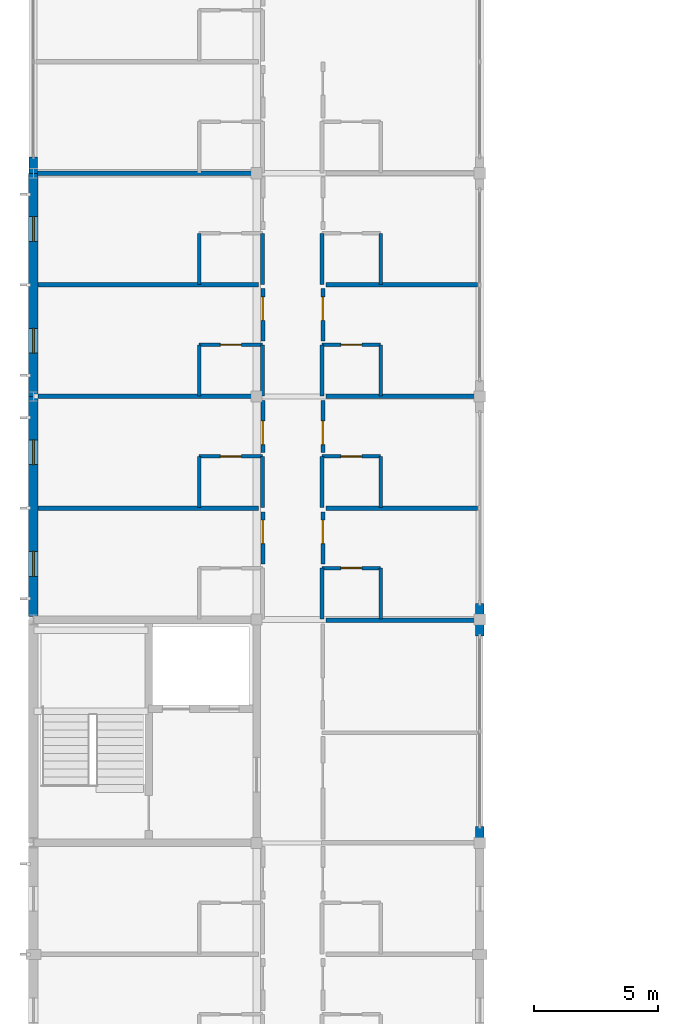
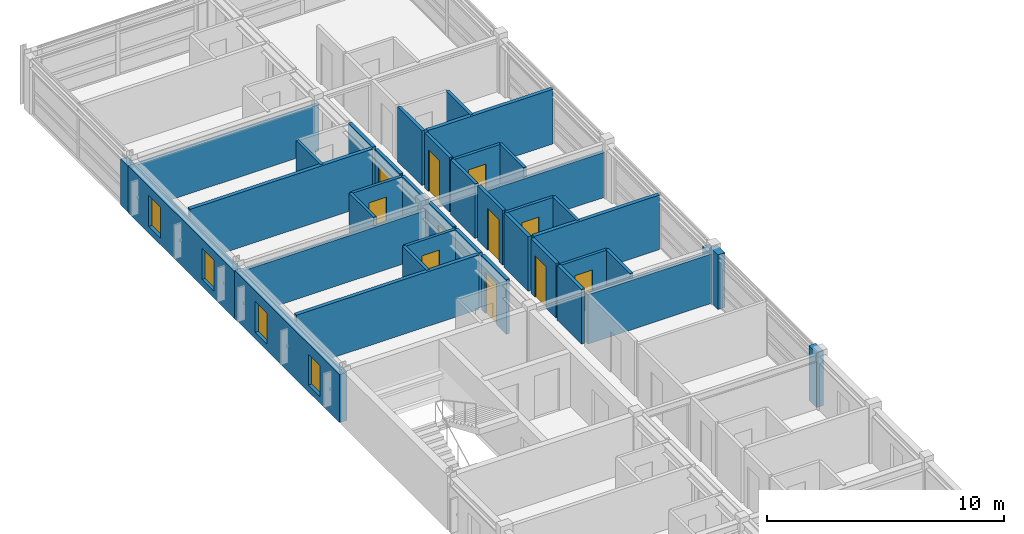
# One storey, part 15 of 24: 39 walls, 11 doors, 4 windows, 15 openings.
"""IFC4 building model written with IfcOpenShell, lengths in metres."""

import ifcopenshell
import ifcopenshell.guid

model = None  # the IFC model being written
_history = None  # IfcOwnerHistory: only IFC2X3 demands one
_inside = {}  # id of a spatial element -> (the spatial element, [elements in it])
_under = {}  # id of a project, library or spatial element -> (it, [spatial elements below it])
_declared = {}  # id of a project -> (the project, [libraries it declares])
_typed = {}  # id of a type object -> (the type object, [elements of that type])
_made_of = {}  # id of a material, layer set ... -> (it, [elements and type objects made of it])


def new_model(schema):
    """Start an empty IFC model of exactly this schema.

    Asked for "IFC4X3", IfcOpenShell would pick the latest addendum, in which some entities
    have other attributes; the version numbers below select the first issue.
    IFC2X3 requires an IfcOwnerHistory on every rooted entity: one is made here for all.
    """
    global model, _history
    if schema == "IFC4X3":
        model = ifcopenshell.file(schema_version=(4, 3, 0, 0))
    else:
        model = ifcopenshell.file(schema=schema)
    _inside.clear()
    _under.clear()
    _declared.clear()
    _typed.clear()
    _made_of.clear()
    _history = None
    if model.schema == "IFC2X3":
        org = make("IfcOrganization", Name="unknown")
        user = make(
            "IfcPersonAndOrganization",
            ThePerson=make("IfcPerson", FamilyName="unknown"),
            TheOrganization=org,
        )
        app = make(
            "IfcApplication",
            ApplicationDeveloper=org,
            Version="unknown",
            ApplicationFullName="unknown",
            ApplicationIdentifier="unknown",
        )
        _history = make(
            "IfcOwnerHistory",
            OwningUser=user,
            OwningApplication=app,
            ChangeAction="ADDED",
            CreationDate=0,
        )
    return model


def make(cls, **values):
    """One entity of the class cls with the attributes given. An attribute that is None is left unset."""
    return model.create_entity(
        cls, **{name: value for name, value in values.items() if value is not None}
    )


def rooted(cls, **values):
    """An entity with a GlobalId (a new one), such as an element, a storey or a relation."""
    return make(cls, GlobalId=ifcopenshell.guid.new(), OwnerHistory=_history, **values)


def si_unit(unit_type, name, prefix=None):
    """IfcSIUnit, for example si_unit("LENGTHUNIT", "METRE", prefix="MILLI")."""
    return make("IfcSIUnit", UnitType=unit_type, Prefix=prefix, Name=name)


def assignment(units):
    """IfcUnitAssignment: the units of a project."""
    return None if units is None else make("IfcUnitAssignment", Units=units)


def point(xyz):
    """IfcCartesianPoint."""
    return None if xyz is None else make("IfcCartesianPoint", Coordinates=xyz)


def direction(xyz):
    """IfcDirection."""
    return None if xyz is None else make("IfcDirection", DirectionRatios=xyz)


def frame(location, z_axis=None, x_axis=None):
    """IfcAxis2Placement3D, a coordinate frame: its origin and axes. An axis left out is left unset."""
    return make(
        "IfcAxis2Placement3D",
        Location=point(location),
        Axis=direction(z_axis),
        RefDirection=direction(x_axis),
    )


def frame_2d(location, x_axis=None):
    """IfcAxis2Placement2D, a coordinate frame in the plane: its origin and x axis."""
    return make(
        "IfcAxis2Placement2D", Location=point(location), RefDirection=direction(x_axis)
    )


def origin():
    """The frame at (0, 0, 0) with its axes left unset."""
    return frame((0.0, 0.0, 0.0))


def place(relative_to, where):
    """IfcLocalPlacement: puts the frame where relative to a parent placement (None: the world)."""
    return make(
        "IfcLocalPlacement", PlacementRelTo=relative_to, RelativePlacement=where
    )


def context(
    kind, dimensions, precision=None, world=None, true_north=None, identifier=None
):
    """IfcGeometricRepresentationContext, for example the 3D "Model" context."""
    return make(
        "IfcGeometricRepresentationContext",
        ContextIdentifier=identifier,
        ContextType=kind,
        CoordinateSpaceDimension=dimensions,
        Precision=precision,
        WorldCoordinateSystem=world,
        TrueNorth=true_north,
    )


def subcontext(parent, identifier, kind, view, scale=None):
    """IfcGeometricRepresentationSubContext, for example "Body" below "Model"."""
    return make(
        "IfcGeometricRepresentationSubContext",
        ContextIdentifier=identifier,
        ContextType=kind,
        ParentContext=parent,
        TargetScale=scale,
        TargetView=view,
    )


def project(units=None, contexts=None):
    """IfcProject with its units and contexts."""
    return rooted(
        "IfcProject",
        Name="project",
        RepresentationContexts=contexts,
        UnitsInContext=assignment(units),
    )


def spatial(cls, under=None, at=None, **own):
    """A site, building, storey or space (cls), placed at a placement, below another one or the project."""
    s = rooted(cls, ObjectPlacement=at, **own)
    if under is not None:
        _under.setdefault(under.id(), (under, []))[1].append(s)
    return s


def profile(cls, at=None, kind="AREA", **sizes):
    """A parametric profile (cls). Its sizes go by their IFC names, for example OverallWidth=200.0."""
    return make(cls, ProfileType=kind, Position=at, **sizes)


def rectangle(**sizes):
    """IfcRectangleProfileDef."""
    return profile("IfcRectangleProfileDef", **sizes)


def extrude(swept, where, along, depth):
    """IfcExtrudedAreaSolid: the profile swept, set in the frame where, extruded along a direction by depth."""
    return make(
        "IfcExtrudedAreaSolid",
        SweptArea=swept,
        Position=where,
        ExtrudedDirection=direction(along),
        Depth=depth,
    )


def shape(context_of_items, identifier, shape_type, items):
    """IfcShapeRepresentation: the items that make up one representation, for example the "Body"."""
    return make(
        "IfcShapeRepresentation",
        ContextOfItems=context_of_items,
        RepresentationIdentifier=identifier,
        RepresentationType=shape_type,
        Items=items,
    )


def material(Name=None, Category=None):
    """IfcMaterial."""
    return make("IfcMaterial", Name=Name, Category=Category)


def layer(
    of_material, thickness, ventilated=None, Name=None, Category=None, Priority=None
):
    """IfcMaterialLayer: one layer of a wall or slab, of a material (None: an air gap)."""
    return make(
        "IfcMaterialLayer",
        Material=of_material,
        LayerThickness=thickness,
        IsVentilated=ventilated,
        Name=Name,
        Category=Category,
        Priority=Priority,
    )


def layer_set(layers, Name=None):
    """IfcMaterialLayerSet."""
    return make("IfcMaterialLayerSet", MaterialLayers=layers, LayerSetName=Name)


def made_of(thing, what):
    """Note that an element or type object is made of a material, layer set ...; save() writes the relation."""
    if what is not None:
        _made_of.setdefault(what.id(), (what, []))[1].append(thing)
    return thing


def type_object(cls, material=None, **own):
    """A type object (cls), such as IfcWallType, which elements share."""
    return made_of(rooted(cls, **own), material)


def element(
    cls,
    number,
    at=None,
    inside=None,
    cuts=None,
    type_object=None,
    material=None,
    context=None,
    identifier="Body",
    shape_type=None,
    held_by="IfcProductDefinitionShape",
    body=None,
    shapes=None,
    **own,
):
    """One element of the class cls, such as IfcWall. Its Tag is "e" and its number.

    at: its placement. inside: the storey or other place that contains it. cuts: it is an
    opening in that element (IfcRelVoidsElement). A single representation is given by context,
    identifier, shape_type and body (its items); several are given by shapes. held_by: the class
    of the entity that holds the representations. save() writes the other relations.
    """
    e = rooted(cls, Tag="e%d" % number, ObjectPlacement=at, **own)
    if body is not None:
        shapes = [shape(context, identifier, shape_type, body)]
    if shapes is not None:
        e.Representation = make(held_by, Representations=shapes)
    if inside is not None:
        _inside.setdefault(inside.id(), (inside, []))[1].append(e)
    if cuts is not None:
        rooted(
            "IfcRelVoidsElement", RelatingBuildingElement=cuts, RelatedOpeningElement=e
        )
    if type_object is not None:
        _typed.setdefault(type_object.id(), (type_object, []))[1].append(e)
    return made_of(e, material)


def fill(opening, filler):
    """IfcRelFillsElement: the door or window that sits in an opening."""
    return rooted(
        "IfcRelFillsElement",
        RelatingOpeningElement=opening,
        RelatedBuildingElement=filler,
    )


def aggregate(whole, parts):
    """IfcRelAggregates: a whole, such as a stair, and the parts it consists of."""
    return rooted("IfcRelAggregates", RelatingObject=whole, RelatedObjects=parts)


def save(model, path):
    """Write the relations noted so far, then the file.

    IfcRelAggregates (storeys below a building ...), IfcRelContainedInSpatialStructure (elements
    in a storey), IfcRelDefinesByType, IfcRelAssociatesMaterial and IfcRelDeclares: one each for
    every whole, place, type object, material and project.
    """
    for whole, parts in _under.values():
        aggregate(whole, parts)
    for where, things in _inside.values():
        rooted(
            "IfcRelContainedInSpatialStructure",
            RelatedElements=things,
            RelatingStructure=where,
        )
    for kind, things in _typed.values():
        rooted("IfcRelDefinesByType", RelatedObjects=things, RelatingType=kind)
    for what, things in _made_of.values():
        rooted("IfcRelAssociatesMaterial", RelatedObjects=things, RelatingMaterial=what)
    for by, libraries in _declared.values():
        rooted("IfcRelDeclares", RelatingContext=by, RelatedDefinitions=libraries)
    model.write(path)


model = new_model("IFC4")

# Units and contexts
model_context = context("Model", 3, precision=1e-05, world=origin(), true_north=direction((0.0, 1.0)))
body_context = subcontext(model_context, "Body", "Model", "MODEL_VIEW")
ifc_project = project(units=[si_unit("LENGTHUNIT", "METRE"), si_unit("AREAUNIT", "SQUARE_METRE"), si_unit("VOLUMEUNIT", "CUBIC_METRE"), si_unit("PLANEANGLEUNIT", "RADIAN"), si_unit("MASSUNIT", "GRAM", prefix="KILO")], contexts=[model_context])

# Site, building, storey
site_placement = place(None, origin())
site = spatial("IfcSite", under=ifc_project, at=site_placement, CompositionType="ELEMENT")
building_placement = place(site_placement, origin())
building = spatial("IfcBuilding", under=site, at=building_placement, Name="Palais des Congres Ocreval", CompositionType="ELEMENT")
storey_placement = place(building_placement, frame((0.0, 0.0, 17.60009765625)))
storey = spatial("IfcBuildingStorey", under=building, at=storey_placement, Name="L05", CompositionType="ELEMENT", Elevation=17.60009765625)

# Wall, opening, door
ifc_material_1 = material(Name="Moisture-resistant gypsum board")
ifc_layer_1 = layer(ifc_material_1, 0.139892578125)
ifc_layer_set_1 = layer_set([ifc_layer_1], Name="Bathroom Plumbing Chase Wall 140 Gypsum (Moisture-resistant gypsum board)")
wall_type_1 = type_object("IfcWallType", Name="Bathroom Plumbing Chase Wall 140 Gypsum", PredefinedType="PLUMBINGWALL", material=ifc_layer_set_1)
wall_1_placement = place(storey_placement, frame((6.679931640625, 51.580078125, 0.0), z_axis=(0.0, 0.0, 1.0), x_axis=(1.0, 0.0, 0.0)))
wall_1 = element("IfcWall", 1, at=wall_1_placement, inside=storey, type_object=wall_type_1, Name="Bathroom Plumbing Wall PW03 L05", PredefinedType="PLUMBINGWALL", context=body_context, shape_type="SweptSolid", body=[
    extrude(rectangle(XDim=2.56005859375, YDim=0.139892578125, at=frame_2d((1.280029296875, 0.0))), origin(), (0.0, 0.0, 1.0), 2.81982421875),
])
opening_1_placement = place(wall_1_placement, frame((0.85498046875, 0.0, 0.0)))
opening_1 = element("IfcOpeningElement", 2, at=opening_1_placement, cuts=wall_1, Name="Opening D08", PredefinedType="OPENING", context=body_context, shape_type="SweptSolid", body=[
    extrude(rectangle(XDim=0.85009765625, YDim=2.0400390625, at=frame_2d((0.425048828125, 1.02001953125))), frame((0.0, 0.079833984375, 0.0), z_axis=(0.0, -1.0, 0.0), x_axis=(1.0, 0.0, 0.0)), (0.0, 0.0, 1.0), 0.159912109375),
])
ifc_material_2 = material(Name="Solid French oak", Category="wood")
door_type_1 = type_object("IfcDoorType", Name="En-Suite Bathroom Door 850x2040", OperationType="NOTDEFINED", PredefinedType="DOOR", material=ifc_material_2)
door_1_placement = place(opening_1_placement, origin())
door_1 = element("IfcDoor", 3, at=door_1_placement, inside=storey, type_object=door_type_1, Name="En-Suite Bathroom Door D08 L05", OperationType="SINGLE_SWING_RIGHT", OverallHeight=2.0400390625, OverallWidth=0.85009765625, PredefinedType="DOOR", context=body_context, shape_type="SweptSolid", body=[
    extrude(rectangle(XDim=0.85009765625, YDim=2.0400390625, at=frame_2d((0.425048828125, 1.02001953125))), frame((0.0, 0.02490234375, 0.0), z_axis=(0.0, -1.0, 0.0), x_axis=(1.0, 0.0, 0.0)), (0.0, 0.0, 1.0), 0.050048828125),
])
fill(opening_1, door_1)

# Wall
wall_2_placement = place(storey_placement, frame((6.679931640625, 49.52001953125, 0.0), z_axis=(0.0, 0.0, 1.0), x_axis=(0.0, 1.0, 0.0)))
element("IfcWall", 4, at=wall_2_placement, inside=storey, type_object=wall_type_1, Name="Bathroom Plumbing Wall PW03 L05", PredefinedType="PLUMBINGWALL", context=body_context, shape_type="SweptSolid", body=[
    extrude(rectangle(XDim=2.06005859375, YDim=0.139892578125, at=frame_2d((1.030029296875, 0.0))), origin(), (0.0, 0.0, 1.0), 2.81982421875),
])

# Wall, opening, door
wall_3_placement = place(storey_placement, frame((11.639892578125, 47.080078125, 0.0), z_axis=(0.0, 0.0, 1.0), x_axis=(1.0, 0.0, 0.0)))
wall_3 = element("IfcWall", 5, at=wall_3_placement, inside=storey, type_object=wall_type_1, Name="Bathroom Plumbing Wall PW03 L05", PredefinedType="PLUMBINGWALL", context=body_context, shape_type="SweptSolid", body=[
    extrude(rectangle(XDim=2.360107421875, YDim=0.139892578125, at=frame_2d((1.18017578125, 0.0))), origin(), (0.0, 0.0, 1.0), 2.81982421875),
])
opening_2_placement = place(wall_3_placement, frame((0.7548828125, 0.0, 0.0)))
opening_2 = element("IfcOpeningElement", 6, at=opening_2_placement, cuts=wall_3, Name="Opening D08", PredefinedType="OPENING", context=body_context, shape_type="SweptSolid", body=[
    extrude(rectangle(XDim=0.85009765625, YDim=2.0400390625, at=frame_2d((0.425048828125, 1.02001953125))), frame((0.0, 0.079833984375, 0.0), z_axis=(0.0, -1.0, 0.0), x_axis=(1.0, 0.0, 0.0)), (0.0, 0.0, 1.0), 0.159912109375),
])
door_2_placement = place(opening_2_placement, origin())
door_2 = element("IfcDoor", 7, at=door_2_placement, inside=storey, type_object=door_type_1, Name="En-Suite Bathroom Door D08 L05", OperationType="SINGLE_SWING_LEFT", OverallHeight=2.0400390625, OverallWidth=0.85009765625, PredefinedType="DOOR", context=body_context, shape_type="SweptSolid", body=[
    extrude(rectangle(XDim=0.85009765625, YDim=2.0400390625, at=frame_2d((0.425048828125, 1.02001953125))), frame((0.0, 0.02490234375, 0.0), z_axis=(0.0, -1.0, 0.0), x_axis=(1.0, 0.0, 0.0)), (0.0, 0.0, 1.0), 0.050048828125),
])
fill(opening_2, door_2)

# Wall
wall_4_placement = place(storey_placement, frame((14.0, 45.02001953125, 0.0), z_axis=(0.0, 0.0, 1.0), x_axis=(0.0, 1.0, 0.0)))
element("IfcWall", 8, at=wall_4_placement, inside=storey, type_object=wall_type_1, Name="Bathroom Plumbing Wall PW03 L05", PredefinedType="PLUMBINGWALL", context=body_context, shape_type="SweptSolid", body=[
    extrude(rectangle(XDim=2.06005859375, YDim=0.139892578125, at=frame_2d((1.030029296875, 0.0))), origin(), (0.0, 0.0, 1.0), 2.81982421875),
])

# Wall, opening, door
wall_5_placement = place(storey_placement, frame((11.639892578125, 51.580078125, 0.0), z_axis=(0.0, 0.0, 1.0), x_axis=(1.0, 0.0, 0.0)))
wall_5 = element("IfcWall", 9, at=wall_5_placement, inside=storey, type_object=wall_type_1, Name="Bathroom Plumbing Wall PW03 L05", PredefinedType="PLUMBINGWALL", context=body_context, shape_type="SweptSolid", body=[
    extrude(rectangle(XDim=2.360107421875, YDim=0.139892578125, at=frame_2d((1.18017578125, 0.0))), origin(), (0.0, 0.0, 1.0), 2.81982421875),
])
opening_3_placement = place(wall_5_placement, frame((0.7548828125, 0.0, 0.0)))
opening_3 = element("IfcOpeningElement", 10, at=opening_3_placement, cuts=wall_5, Name="Opening D08", PredefinedType="OPENING", context=body_context, shape_type="SweptSolid", body=[
    extrude(rectangle(XDim=0.85009765625, YDim=2.0400390625, at=frame_2d((0.425048828125, 1.02001953125))), frame((0.0, 0.079833984375, 0.0), z_axis=(0.0, -1.0, 0.0), x_axis=(1.0, 0.0, 0.0)), (0.0, 0.0, 1.0), 0.159912109375),
])
door_3_placement = place(opening_3_placement, origin())
door_3 = element("IfcDoor", 11, at=door_3_placement, inside=storey, type_object=door_type_1, Name="En-Suite Bathroom Door D08 L05", OperationType="SINGLE_SWING_RIGHT", OverallHeight=2.0400390625, OverallWidth=0.85009765625, PredefinedType="DOOR", context=body_context, shape_type="SweptSolid", body=[
    extrude(rectangle(XDim=0.85009765625, YDim=2.0400390625, at=frame_2d((0.425048828125, 1.02001953125))), frame((0.0, 0.02490234375, 0.0), z_axis=(0.0, -1.0, 0.0), x_axis=(1.0, 0.0, 0.0)), (0.0, 0.0, 1.0), 0.050048828125),
])
fill(opening_3, door_3)

# Wall
wall_6_placement = place(storey_placement, frame((14.0, 49.52001953125, 0.0), z_axis=(0.0, 0.0, 1.0), x_axis=(0.0, 1.0, 0.0)))
element("IfcWall", 12, at=wall_6_placement, inside=storey, type_object=wall_type_1, Name="Bathroom Plumbing Wall PW03 L05", PredefinedType="PLUMBINGWALL", context=body_context, shape_type="SweptSolid", body=[
    extrude(rectangle(XDim=2.06005859375, YDim=0.139892578125, at=frame_2d((1.030029296875, 0.0))), origin(), (0.0, 0.0, 1.0), 2.81982421875),
])

# Wall, opening, door
wall_7_placement = place(storey_placement, frame((6.679931640625, 56.080078125, 0.0), z_axis=(0.0, 0.0, 1.0), x_axis=(1.0, 0.0, 0.0)))
wall_7 = element("IfcWall", 13, at=wall_7_placement, inside=storey, type_object=wall_type_1, Name="Bathroom Plumbing Wall PW03 L05", PredefinedType="PLUMBINGWALL", context=body_context, shape_type="SweptSolid", body=[
    extrude(rectangle(XDim=2.56005859375, YDim=0.139892578125, at=frame_2d((1.280029296875, 0.0))), origin(), (0.0, 0.0, 1.0), 2.81982421875),
])
opening_4_placement = place(wall_7_placement, frame((0.85498046875, 0.0, 0.0)))
opening_4 = element("IfcOpeningElement", 14, at=opening_4_placement, cuts=wall_7, Name="Opening D08", PredefinedType="OPENING", context=body_context, shape_type="SweptSolid", body=[
    extrude(rectangle(XDim=0.85009765625, YDim=2.0400390625, at=frame_2d((0.425048828125, 1.02001953125))), frame((0.0, 0.079833984375, 0.0), z_axis=(0.0, -1.0, 0.0), x_axis=(1.0, 0.0, 0.0)), (0.0, 0.0, 1.0), 0.159912109375),
])
door_4_placement = place(opening_4_placement, origin())
door_4 = element("IfcDoor", 15, at=door_4_placement, inside=storey, type_object=door_type_1, Name="En-Suite Bathroom Door D08 L05", OperationType="SINGLE_SWING_LEFT", OverallHeight=2.0400390625, OverallWidth=0.85009765625, PredefinedType="DOOR", context=body_context, shape_type="SweptSolid", body=[
    extrude(rectangle(XDim=0.85009765625, YDim=2.0400390625, at=frame_2d((0.425048828125, 1.02001953125))), frame((0.0, 0.02490234375, 0.0), z_axis=(0.0, -1.0, 0.0), x_axis=(1.0, 0.0, 0.0)), (0.0, 0.0, 1.0), 0.050048828125),
])
fill(opening_4, door_4)

# Walls
for number, where, z_axis, x_axis, name in (
    (16, (6.679931640625, 54.02001953125, 0.0), (0.0, 0.0, 1.0), (0.0, 1.0, 0.0), "Bathroom Plumbing Wall PW03 L05"),
    (17, (6.679931640625, 58.52001953125, 0.0), (0.0, 0.0, 1.0), (0.0, 1.0, 0.0), "Bathroom Plumbing Wall PW03 L05"),
):
    element("IfcWall", number, at=place(storey_placement, frame(where, z_axis=z_axis, x_axis=x_axis)), inside=storey, type_object=wall_type_1, Name=name, PredefinedType="PLUMBINGWALL", context=body_context, shape_type="SweptSolid", body=[
        extrude(rectangle(XDim=2.06005859375, YDim=0.139892578125, at=frame_2d((1.030029296875, 0.0))), origin(), (0.0, 0.0, 1.0), 2.81982421875),
    ])

# Wall, opening, door
wall_8_placement = place(storey_placement, frame((11.639892578125, 56.080078125, 0.0), z_axis=(0.0, 0.0, 1.0), x_axis=(1.0, 0.0, 0.0)))
wall_8 = element("IfcWall", 18, at=wall_8_placement, inside=storey, type_object=wall_type_1, Name="Bathroom Plumbing Wall PW03 L05", PredefinedType="PLUMBINGWALL", context=body_context, shape_type="SweptSolid", body=[
    extrude(rectangle(XDim=2.360107421875, YDim=0.139892578125, at=frame_2d((1.18017578125, 0.0))), origin(), (0.0, 0.0, 1.0), 2.81982421875),
])
opening_5_placement = place(wall_8_placement, frame((0.7548828125, 0.0, 0.0)))
opening_5 = element("IfcOpeningElement", 19, at=opening_5_placement, cuts=wall_8, Name="Opening D08", PredefinedType="OPENING", context=body_context, shape_type="SweptSolid", body=[
    extrude(rectangle(XDim=0.85009765625, YDim=2.0400390625, at=frame_2d((0.425048828125, 1.02001953125))), frame((0.0, 0.079833984375, 0.0), z_axis=(0.0, -1.0, 0.0), x_axis=(1.0, 0.0, 0.0)), (0.0, 0.0, 1.0), 0.159912109375),
])
door_5_placement = place(opening_5_placement, origin())
door_5 = element("IfcDoor", 20, at=door_5_placement, inside=storey, type_object=door_type_1, Name="En-Suite Bathroom Door D08 L05", OperationType="SINGLE_SWING_LEFT", OverallHeight=2.0400390625, OverallWidth=0.85009765625, PredefinedType="DOOR", context=body_context, shape_type="SweptSolid", body=[
    extrude(rectangle(XDim=0.85009765625, YDim=2.0400390625, at=frame_2d((0.425048828125, 1.02001953125))), frame((0.0, 0.02490234375, 0.0), z_axis=(0.0, -1.0, 0.0), x_axis=(1.0, 0.0, 0.0)), (0.0, 0.0, 1.0), 0.050048828125),
])
fill(opening_5, door_5)

# Walls
for number, where, z_axis, x_axis, name in (
    (21, (14.0, 54.02001953125, 0.0), (0.0, 0.0, 1.0), (0.0, 1.0, 0.0), "Bathroom Plumbing Wall PW03 L05"),
    (22, (14.0, 58.52001953125, 0.0), (0.0, 0.0, 1.0), (0.0, 1.0, 0.0), "Bathroom Plumbing Wall PW03 L05"),
):
    element("IfcWall", number, at=place(storey_placement, frame(where, z_axis=z_axis, x_axis=x_axis)), inside=storey, type_object=wall_type_1, Name=name, PredefinedType="PLUMBINGWALL", context=body_context, shape_type="SweptSolid", body=[
        extrude(rectangle(XDim=2.06005859375, YDim=0.139892578125, at=frame_2d((1.030029296875, 0.0))), origin(), (0.0, 0.0, 1.0), 2.81982421875),
    ])
ifc_material_3 = material(Name="Gypsum acoustic partition")
ifc_layer_2 = layer(ifc_material_3, 0.159912109375)
ifc_layer_set_2 = layer_set([ifc_layer_2], Name="Corridor Fire Partition 160 Gypsum (Gypsum acoustic partition)")
wall_type_2 = type_object("IfcWallType", Name="Corridor Fire Partition 160 Gypsum", PredefinedType="PARTITIONING", material=ifc_layer_set_2)
for number, where, z_axis, x_axis, name in (
    (23, (9.239990234375, 49.52001953125, 0.0), (0.0, 0.0, 1.0), (0.0, 1.0, 0.0), "Corridor Partition IW03 L05"),
    (24, (11.639892578125, 45.02001953125, 0.0), (0.0, 0.0, 1.0), (0.0, 1.0, 0.0), "Corridor Partition IW03 L05"),
    (25, (11.639892578125, 49.52001953125, 0.0), (0.0, 0.0, 1.0), (0.0, 1.0, 0.0), "Corridor Partition IW03 L05"),
    (26, (9.239990234375, 54.02001953125, 0.0), (0.0, 0.0, 1.0), (0.0, 1.0, 0.0), "Corridor Partition IW03 L05"),
    (27, (9.239990234375, 58.52001953125, 0.0), (0.0, 0.0, 1.0), (0.0, 1.0, 0.0), "Corridor Partition IW03 L05"),
    (28, (11.639892578125, 54.02001953125, 0.0), (0.0, 0.0, 1.0), (0.0, 1.0, 0.0), "Corridor Partition IW03 L05"),
    (29, (11.639892578125, 58.52001953125, 0.0), (0.0, 0.0, 1.0), (0.0, 1.0, 0.0), "Corridor Partition IW03 L05"),
):
    element("IfcWall", number, at=place(storey_placement, frame(where, z_axis=z_axis, x_axis=x_axis)), inside=storey, type_object=wall_type_2, Name=name, PredefinedType="PARTITIONING", context=body_context, shape_type="SweptSolid", body=[
        extrude(rectangle(XDim=2.06005859375, YDim=0.159912109375, at=frame_2d((1.030029296875, 0.0))), origin(), (0.0, 0.0, 1.0), 2.81982421875),
    ])

# Wall, opening, door
wall_9_placement = place(storey_placement, frame((9.25, 47.235107421875, 0.0), z_axis=(0.0, 0.0, 1.0), x_axis=(0.0, 1.0, 0.0)))
wall_9 = element("IfcWall", 30, at=wall_9_placement, inside=storey, type_object=wall_type_2, Name="Interior Partition IW03 L05", PredefinedType="PARTITIONING", context=body_context, shape_type="SweptSolid", body=[
    extrude(rectangle(XDim=2.10986328125, YDim=0.159912109375, at=frame_2d((1.054931640625, 0.0))), origin(), (0.0, 0.0, 1.0), 2.81982421875),
])
opening_6_placement = place(wall_9_placement, frame((0.833251953125, 0.0, 0.0)))
opening_6 = element("IfcOpeningElement", 31, at=opening_6_placement, cuts=wall_9, Name="Opening D05", PredefinedType="OPENING", context=body_context, shape_type="SweptSolid", body=[
    extrude(rectangle(XDim=0.949951171875, YDim=2.14990234375, at=frame_2d((0.47509765625, 1.074951171875))), frame((0.0, 0.08984375, 0.0), z_axis=(0.0, -1.0, 0.0), x_axis=(1.0, 0.0, 0.0)), (0.0, 0.0, 1.0), 0.179931640625),
])
door_type_2 = type_object("IfcDoorType", Name="Hotel Guestroom Entrance Door 950x2150", OperationType="NOTDEFINED", PredefinedType="DOOR", material=ifc_material_2)
door_6_placement = place(opening_6_placement, origin())
door_6 = element("IfcDoor", 32, at=door_6_placement, inside=storey, type_object=door_type_2, Name="Interior Door D05 L05", OperationType="SINGLE_SWING_LEFT", OverallHeight=2.14990234375, OverallWidth=0.949951171875, PredefinedType="DOOR", context=body_context, shape_type="SweptSolid", body=[
    extrude(rectangle(XDim=0.949951171875, YDim=2.14990234375, at=frame_2d((0.47509765625, 1.074951171875))), frame((0.0, 0.02490234375, 0.0), z_axis=(0.0, -1.0, 0.0), x_axis=(1.0, 0.0, 0.0)), (0.0, 0.0, 1.0), 0.050048828125),
])
fill(opening_6, door_6)

wall_10_placement = place(storey_placement, frame((9.25, 51.735107421875, 0.0), z_axis=(0.0, 0.0, 1.0), x_axis=(0.0, 1.0, 0.0)))
wall_10 = element("IfcWall", 33, at=wall_10_placement, inside=storey, type_object=wall_type_2, Name="Interior Partition IW03 L05", PredefinedType="PARTITIONING", context=body_context, shape_type="SweptSolid", body=[
    extrude(rectangle(XDim=2.10986328125, YDim=0.159912109375, at=frame_2d((1.054931640625, 0.0))), origin(), (0.0, 0.0, 1.0), 2.81982421875),
])
opening_7_placement = place(wall_10_placement, frame((0.326904296875, 0.0, 0.0)))
opening_7 = element("IfcOpeningElement", 34, at=opening_7_placement, cuts=wall_10, Name="Opening D05", PredefinedType="OPENING", context=body_context, shape_type="SweptSolid", body=[
    extrude(rectangle(XDim=0.949951171875, YDim=2.14990234375, at=frame_2d((0.47509765625, 1.074951171875))), frame((0.0, 0.08984375, 0.0), z_axis=(0.0, -1.0, 0.0), x_axis=(1.0, 0.0, 0.0)), (0.0, 0.0, 1.0), 0.179931640625),
])
door_7_placement = place(opening_7_placement, origin())
door_7 = element("IfcDoor", 35, at=door_7_placement, inside=storey, type_object=door_type_2, Name="Interior Door D05 L05", OperationType="SINGLE_SWING_RIGHT", OverallHeight=2.14990234375, OverallWidth=0.949951171875, PredefinedType="DOOR", context=body_context, shape_type="SweptSolid", body=[
    extrude(rectangle(XDim=0.949951171875, YDim=2.14990234375, at=frame_2d((0.47509765625, 1.074951171875))), frame((0.0, 0.02490234375, 0.0), z_axis=(0.0, -1.0, 0.0), x_axis=(1.0, 0.0, 0.0)), (0.0, 0.0, 1.0), 0.050048828125),
])
fill(opening_7, door_7)

wall_11_placement = place(storey_placement, frame((11.669921875, 47.235107421875, 0.0), z_axis=(0.0, 0.0, 1.0), x_axis=(0.0, 1.0, 0.0)))
wall_11 = element("IfcWall", 36, at=wall_11_placement, inside=storey, type_object=wall_type_2, Name="Interior Partition IW03 L05", PredefinedType="PARTITIONING", context=body_context, shape_type="SweptSolid", body=[
    extrude(rectangle(XDim=2.10986328125, YDim=0.159912109375, at=frame_2d((1.054931640625, 0.0))), origin(), (0.0, 0.0, 1.0), 2.81982421875),
])
opening_8_placement = place(wall_11_placement, frame((0.833251953125, 0.0, 0.0)))
opening_8 = element("IfcOpeningElement", 37, at=opening_8_placement, cuts=wall_11, Name="Opening D05", PredefinedType="OPENING", context=body_context, shape_type="SweptSolid", body=[
    extrude(rectangle(XDim=0.949951171875, YDim=2.14990234375, at=frame_2d((0.47509765625, 1.074951171875))), frame((0.0, 0.08984375, 0.0), z_axis=(0.0, -1.0, 0.0), x_axis=(1.0, 0.0, 0.0)), (0.0, 0.0, 1.0), 0.179931640625),
])
door_8_placement = place(opening_8_placement, origin())
door_8 = element("IfcDoor", 38, at=door_8_placement, inside=storey, type_object=door_type_2, Name="Interior Door D05 L05", OperationType="SINGLE_SWING_LEFT", OverallHeight=2.14990234375, OverallWidth=0.949951171875, PredefinedType="DOOR", context=body_context, shape_type="SweptSolid", body=[
    extrude(rectangle(XDim=0.949951171875, YDim=2.14990234375, at=frame_2d((0.47509765625, 1.074951171875))), frame((0.0, 0.02490234375, 0.0), z_axis=(0.0, -1.0, 0.0), x_axis=(1.0, 0.0, 0.0)), (0.0, 0.0, 1.0), 0.050048828125),
])
fill(opening_8, door_8)

wall_12_placement = place(storey_placement, frame((11.669921875, 51.735107421875, 0.0), z_axis=(0.0, 0.0, 1.0), x_axis=(0.0, 1.0, 0.0)))
wall_12 = element("IfcWall", 39, at=wall_12_placement, inside=storey, type_object=wall_type_2, Name="Interior Partition IW03 L05", PredefinedType="PARTITIONING", context=body_context, shape_type="SweptSolid", body=[
    extrude(rectangle(XDim=2.10986328125, YDim=0.159912109375, at=frame_2d((1.054931640625, 0.0))), origin(), (0.0, 0.0, 1.0), 2.81982421875),
])
opening_9_placement = place(wall_12_placement, frame((0.326904296875, 0.0, 0.0)))
opening_9 = element("IfcOpeningElement", 40, at=opening_9_placement, cuts=wall_12, Name="Opening D05", PredefinedType="OPENING", context=body_context, shape_type="SweptSolid", body=[
    extrude(rectangle(XDim=0.949951171875, YDim=2.14990234375, at=frame_2d((0.47509765625, 1.074951171875))), frame((0.0, 0.08984375, 0.0), z_axis=(0.0, -1.0, 0.0), x_axis=(1.0, 0.0, 0.0)), (0.0, 0.0, 1.0), 0.179931640625),
])
door_9_placement = place(opening_9_placement, origin())
door_9 = element("IfcDoor", 41, at=door_9_placement, inside=storey, type_object=door_type_2, Name="Interior Door D05 L05", OperationType="SINGLE_SWING_RIGHT", OverallHeight=2.14990234375, OverallWidth=0.949951171875, PredefinedType="DOOR", context=body_context, shape_type="SweptSolid", body=[
    extrude(rectangle(XDim=0.949951171875, YDim=2.14990234375, at=frame_2d((0.47509765625, 1.074951171875))), frame((0.0, 0.02490234375, 0.0), z_axis=(0.0, -1.0, 0.0), x_axis=(1.0, 0.0, 0.0)), (0.0, 0.0, 1.0), 0.050048828125),
])
fill(opening_9, door_9)

wall_13_placement = place(storey_placement, frame((9.25, 56.235107421875, 0.0), z_axis=(0.0, 0.0, 1.0), x_axis=(0.0, 1.0, 0.0)))
wall_13 = element("IfcWall", 42, at=wall_13_placement, inside=storey, type_object=wall_type_2, Name="Interior Partition IW03 L05", PredefinedType="PARTITIONING", context=body_context, shape_type="SweptSolid", body=[
    extrude(rectangle(XDim=2.10986328125, YDim=0.159912109375, at=frame_2d((1.054931640625, 0.0))), origin(), (0.0, 0.0, 1.0), 2.81982421875),
])
opening_10_placement = place(wall_13_placement, frame((0.833251953125, 0.0, 0.0)))
opening_10 = element("IfcOpeningElement", 43, at=opening_10_placement, cuts=wall_13, Name="Opening D05", PredefinedType="OPENING", context=body_context, shape_type="SweptSolid", body=[
    extrude(rectangle(XDim=0.949951171875, YDim=2.14990234375, at=frame_2d((0.47509765625, 1.074951171875))), frame((0.0, 0.08984375, 0.0), z_axis=(0.0, -1.0, 0.0), x_axis=(1.0, 0.0, 0.0)), (0.0, 0.0, 1.0), 0.179931640625),
])
door_10_placement = place(opening_10_placement, origin())
door_10 = element("IfcDoor", 44, at=door_10_placement, inside=storey, type_object=door_type_2, Name="Interior Door D05 L05", OperationType="SINGLE_SWING_LEFT", OverallHeight=2.14990234375, OverallWidth=0.949951171875, PredefinedType="DOOR", context=body_context, shape_type="SweptSolid", body=[
    extrude(rectangle(XDim=0.949951171875, YDim=2.14990234375, at=frame_2d((0.47509765625, 1.074951171875))), frame((0.0, 0.02490234375, 0.0), z_axis=(0.0, -1.0, 0.0), x_axis=(1.0, 0.0, 0.0)), (0.0, 0.0, 1.0), 0.050048828125),
])
fill(opening_10, door_10)

wall_14_placement = place(storey_placement, frame((11.669921875, 56.235107421875, 0.0), z_axis=(0.0, 0.0, 1.0), x_axis=(0.0, 1.0, 0.0)))
wall_14 = element("IfcWall", 45, at=wall_14_placement, inside=storey, type_object=wall_type_2, Name="Interior Partition IW03 L05", PredefinedType="PARTITIONING", context=body_context, shape_type="SweptSolid", body=[
    extrude(rectangle(XDim=2.10986328125, YDim=0.159912109375, at=frame_2d((1.054931640625, 0.0))), origin(), (0.0, 0.0, 1.0), 2.81982421875),
])
opening_11_placement = place(wall_14_placement, frame((0.833251953125, 0.0, 0.0)))
opening_11 = element("IfcOpeningElement", 46, at=opening_11_placement, cuts=wall_14, Name="Opening D05", PredefinedType="OPENING", context=body_context, shape_type="SweptSolid", body=[
    extrude(rectangle(XDim=0.949951171875, YDim=2.14990234375, at=frame_2d((0.47509765625, 1.074951171875))), frame((0.0, 0.08984375, 0.0), z_axis=(0.0, -1.0, 0.0), x_axis=(1.0, 0.0, 0.0)), (0.0, 0.0, 1.0), 0.179931640625),
])
door_11_placement = place(opening_11_placement, origin())
door_11 = element("IfcDoor", 47, at=door_11_placement, inside=storey, type_object=door_type_2, Name="Interior Door D05 L05", OperationType="SINGLE_SWING_LEFT", OverallHeight=2.14990234375, OverallWidth=0.949951171875, PredefinedType="DOOR", context=body_context, shape_type="SweptSolid", body=[
    extrude(rectangle(XDim=0.949951171875, YDim=2.14990234375, at=frame_2d((0.47509765625, 1.074951171875))), frame((0.0, 0.02490234375, 0.0), z_axis=(0.0, -1.0, 0.0), x_axis=(1.0, 0.0, 0.0)), (0.0, 0.0, 1.0), 0.050048828125),
])
fill(opening_11, door_11)

# Walls
ifc_layer_3 = layer(ifc_material_3, 0.179931640625)
ifc_layer_set_3 = layer_set([ifc_layer_3], Name="Hotel Inter-Room Acoustic Partition 180 Gypsum (Gypsum acoustic partition)")
wall_type_3 = type_object("IfcWallType", Name="Hotel Inter-Room Acoustic Partition 180 Gypsum", PredefinedType="PARTITIONING", material=ifc_layer_set_3)
wall_15_placement = place(storey_placement, frame((11.794921875, 44.97509765625, 0.0), z_axis=(0.0, 0.0, 1.0), x_axis=(1.0, 0.0, 0.0)))
element("IfcWall", 48, at=wall_15_placement, inside=storey, type_object=wall_type_3, Name="Hotel Party Partition IW02 L05", PredefinedType="PARTITIONING", context=body_context, shape_type="SweptSolid", body=[
    extrude(rectangle(XDim=6.030029296875, YDim=0.179931640625, at=frame_2d((3.01513671875, 0.0))), origin(), (0.0, 0.0, 1.0), 2.5498046875),
])
wall_16_placement = place(storey_placement, frame((0.195068359375, 49.5, 0.0), z_axis=(0.0, 0.0, 1.0), x_axis=(1.0, 0.0, 0.0)))
element("IfcWall", 49, at=wall_16_placement, inside=storey, type_object=wall_type_3, Name="Hotel Party Partition IW02 L05", PredefinedType="PARTITIONING", context=body_context, shape_type="SweptSolid", body=[
    extrude(rectangle(XDim=8.889892578125, YDim=0.179931640625, at=frame_2d((4.44482421875, 0.0))), origin(), (0.0, 0.0, 1.0), 2.81982421875),
])
wall_17_placement = place(storey_placement, frame((0.195068359375, 54.0, 0.0), z_axis=(0.0, 0.0, 1.0), x_axis=(1.0, 0.0, 0.0)))
element("IfcWall", 50, at=wall_17_placement, inside=storey, type_object=wall_type_3, Name="Hotel Party Partition IW02 L05", PredefinedType="PARTITIONING", context=body_context, shape_type="SweptSolid", body=[
    extrude(rectangle(XDim=8.889892578125, YDim=0.179931640625, at=frame_2d((4.44482421875, 0.0))), origin(), (0.0, 0.0, 1.0), 2.3798828125),
])
wall_18_placement = place(storey_placement, frame((11.794921875, 49.5, 0.0), z_axis=(0.0, 0.0, 1.0), x_axis=(1.0, 0.0, 0.0)))
element("IfcWall", 51, at=wall_18_placement, inside=storey, type_object=wall_type_3, Name="Hotel Party Partition IW02 L05", PredefinedType="PARTITIONING", context=body_context, shape_type="SweptSolid", body=[
    extrude(rectangle(XDim=6.110107421875, YDim=0.179931640625, at=frame_2d((3.05517578125, 0.0))), origin(), (0.0, 0.0, 1.0), 2.81982421875),
])
wall_19_placement = place(storey_placement, frame((11.794921875, 54.0, 0.0), z_axis=(0.0, 0.0, 1.0), x_axis=(1.0, 0.0, 0.0)))
element("IfcWall", 52, at=wall_19_placement, inside=storey, type_object=wall_type_3, Name="Hotel Party Partition IW02 L05", PredefinedType="PARTITIONING", context=body_context, shape_type="SweptSolid", body=[
    extrude(rectangle(XDim=6.030029296875, YDim=0.179931640625, at=frame_2d((3.01513671875, 0.0))), origin(), (0.0, 0.0, 1.0), 2.329833984375),
])
wall_20_placement = place(storey_placement, frame((0.195068359375, 58.5, 0.0), z_axis=(0.0, 0.0, 1.0), x_axis=(1.0, 0.0, 0.0)))
element("IfcWall", 53, at=wall_20_placement, inside=storey, type_object=wall_type_3, Name="Hotel Party Partition IW02 L05", PredefinedType="PARTITIONING", context=body_context, shape_type="SweptSolid", body=[
    extrude(rectangle(XDim=8.889892578125, YDim=0.179931640625, at=frame_2d((4.44482421875, 0.0))), origin(), (0.0, 0.0, 1.0), 2.81982421875),
])
wall_21_placement = place(storey_placement, frame((0.175048828125, 63.0, 0.0), z_axis=(0.0, 0.0, 1.0), x_axis=(1.0, 0.0, 0.0)))
element("IfcWall", 54, at=wall_21_placement, inside=storey, type_object=wall_type_3, Name="Hotel Party Partition IW02 L05", PredefinedType="PARTITIONING", context=body_context, shape_type="SweptSolid", body=[
    extrude(rectangle(XDim=8.909912109375, YDim=0.179931640625, at=frame_2d((4.455078125, 0.0))), origin(), (0.0, 0.0, 1.0), 2.3798828125),
])
wall_22_placement = place(storey_placement, frame((11.794921875, 58.5, 0.0), z_axis=(0.0, 0.0, 1.0), x_axis=(1.0, 0.0, 0.0)))
element("IfcWall", 55, at=wall_22_placement, inside=storey, type_object=wall_type_3, Name="Hotel Party Partition IW02 L05", PredefinedType="PARTITIONING", context=body_context, shape_type="SweptSolid", body=[
    extrude(rectangle(XDim=6.110107421875, YDim=0.179931640625, at=frame_2d((3.05517578125, 0.0))), origin(), (0.0, 0.0, 1.0), 2.81982421875),
])

# Wall, openings, windows
ifc_material_4 = material(Name="Concrete C40/50", Category="concrete")
ifc_layer_4 = layer(ifc_material_4, 0.3798828125)
ifc_layer_set_4 = layer_set([ifc_layer_4], Name="Lutetian Limestone Street Wall 380 Concrete C40/50")
wall_type_4 = type_object("IfcWallType", Name="Lutetian Limestone Street Wall 380 Concrete C40/50", PredefinedType="SOLIDWALL", material=ifc_layer_set_4)
wall_23_placement = place(storey_placement, frame((0.0, 45.1298828125, 0.0), z_axis=(0.0, 0.0, 1.0), x_axis=(0.0, 1.0, 0.0)))
wall_23 = element("IfcWall", 56, at=wall_23_placement, inside=storey, type_object=wall_type_4, Name="Exterior Wall EW03 L05", PredefinedType="SOLIDWALL", context=body_context, shape_type="SweptSolid", body=[
    extrude(rectangle(XDim=8.8701171875, YDim=0.3798828125, at=frame_2d((4.43505859375, 0.0))), origin(), (0.0, 0.0, 1.0), 2.47998046875),
])
opening_12_placement = place(wall_23_placement, frame((1.6201171875, 0.0, 0.35009765625)))
opening_12 = element("IfcOpeningElement", 57, at=opening_12_placement, cuts=wall_23, Name="Opening WN18", PredefinedType="OPENING", context=body_context, shape_type="SweptSolid", body=[
    extrude(rectangle(XDim=1.0, YDim=1.60009765625, at=frame_2d((0.5, 0.800048828125))), frame((0.0, 0.199951171875, 0.0), z_axis=(0.0, -1.0, 0.0), x_axis=(1.0, 0.0, 0.0)), (0.0, 0.0, 1.0), 0.39990234375),
])
opening_13_placement = place(wall_23_placement, frame((6.1201171875, 0.0, 0.35009765625)))
opening_13 = element("IfcOpeningElement", 58, at=opening_13_placement, cuts=wall_23, Name="Opening WN18", PredefinedType="OPENING", context=body_context, shape_type="SweptSolid", body=[
    extrude(rectangle(XDim=1.0, YDim=1.60009765625, at=frame_2d((0.5, 0.800048828125))), frame((0.0, 0.199951171875, 0.0), z_axis=(0.0, -1.0, 0.0), x_axis=(1.0, 0.0, 0.0)), (0.0, 0.0, 1.0), 0.39990234375),
])
ifc_material_5 = material(Name="Anodized bronze aluminium and low-E glass", Category="glass")
window_type = type_object("IfcWindowType", Name="Stair and Lobby Daylight Window 1000x1600", PartitioningType="SINGLE_PANEL", PredefinedType="WINDOW", material=ifc_material_5)
window_1_placement = place(opening_12_placement, origin())
window_1 = element("IfcWindow", 59, at=window_1_placement, inside=storey, type_object=window_type, Name="Hotel Facade Window WN18", OverallHeight=1.60009765625, OverallWidth=1.0, PartitioningType="SINGLE_PANEL", PredefinedType="WINDOW", context=body_context, shape_type="SweptSolid", body=[
    extrude(rectangle(XDim=1.0, YDim=1.60009765625, at=frame_2d((0.5, 0.800048828125))), frame((0.0, 0.030029296875, 0.0), z_axis=(0.0, -1.0, 0.0), x_axis=(1.0, 0.0, 0.0)), (0.0, 0.0, 1.0), 0.06005859375),
])
fill(opening_12, window_1)
window_2_placement = place(opening_13_placement, origin())
window_2 = element("IfcWindow", 60, at=window_2_placement, inside=storey, type_object=window_type, Name="Hotel Facade Window WN18", OverallHeight=1.60009765625, OverallWidth=1.0, PartitioningType="SINGLE_PANEL", PredefinedType="WINDOW", context=body_context, shape_type="SweptSolid", body=[
    extrude(rectangle(XDim=1.0, YDim=1.60009765625, at=frame_2d((0.5, 0.800048828125))), frame((0.0, 0.030029296875, 0.0), z_axis=(0.0, -1.0, 0.0), x_axis=(1.0, 0.0, 0.0)), (0.0, 0.0, 1.0), 0.06005859375),
])
fill(opening_13, window_2)

wall_24_placement = place(storey_placement, frame((0.0, 54.0, 0.0), z_axis=(0.0, 0.0, 1.0), x_axis=(0.0, 1.0, 0.0)))
wall_24 = element("IfcWall", 61, at=wall_24_placement, inside=storey, type_object=wall_type_4, Name="Exterior Wall EW03 L05", PredefinedType="SOLIDWALL", context=body_context, shape_type="SweptSolid", body=[
    extrude(rectangle(XDim=9.0, YDim=0.3798828125, at=frame_2d((4.5, 0.0))), origin(), (0.0, 0.0, 1.0), 2.419921875),
])
opening_14_placement = place(wall_24_placement, frame((1.75, 0.0, 0.35009765625)))
opening_14 = element("IfcOpeningElement", 62, at=opening_14_placement, cuts=wall_24, Name="Opening WN18", PredefinedType="OPENING", context=body_context, shape_type="SweptSolid", body=[
    extrude(rectangle(XDim=1.0, YDim=1.60009765625, at=frame_2d((0.5, 0.800048828125))), frame((0.0, 0.199951171875, 0.0), z_axis=(0.0, -1.0, 0.0), x_axis=(1.0, 0.0, 0.0)), (0.0, 0.0, 1.0), 0.39990234375),
])
opening_15_placement = place(wall_24_placement, frame((6.25, 0.0, 0.35009765625)))
opening_15 = element("IfcOpeningElement", 63, at=opening_15_placement, cuts=wall_24, Name="Opening WN18", PredefinedType="OPENING", context=body_context, shape_type="SweptSolid", body=[
    extrude(rectangle(XDim=1.0, YDim=1.60009765625, at=frame_2d((0.5, 0.800048828125))), frame((0.0, 0.199951171875, 0.0), z_axis=(0.0, -1.0, 0.0), x_axis=(1.0, 0.0, 0.0)), (0.0, 0.0, 1.0), 0.39990234375),
])
window_3_placement = place(opening_14_placement, origin())
window_3 = element("IfcWindow", 64, at=window_3_placement, inside=storey, type_object=window_type, Name="Hotel Facade Window WN18", OverallHeight=1.60009765625, OverallWidth=1.0, PartitioningType="SINGLE_PANEL", PredefinedType="WINDOW", context=body_context, shape_type="SweptSolid", body=[
    extrude(rectangle(XDim=1.0, YDim=1.60009765625, at=frame_2d((0.5, 0.800048828125))), frame((0.0, 0.030029296875, 0.0), z_axis=(0.0, -1.0, 0.0), x_axis=(1.0, 0.0, 0.0)), (0.0, 0.0, 1.0), 0.06005859375),
])
fill(opening_14, window_3)
window_4_placement = place(opening_15_placement, origin())
window_4 = element("IfcWindow", 65, at=window_4_placement, inside=storey, type_object=window_type, Name="Hotel Facade Window WN18", OverallHeight=1.60009765625, OverallWidth=1.0, PartitioningType="SINGLE_PANEL", PredefinedType="WINDOW", context=body_context, shape_type="SweptSolid", body=[
    extrude(rectangle(XDim=1.0, YDim=1.60009765625, at=frame_2d((0.5, 0.800048828125))), frame((0.0, 0.030029296875, 0.0), z_axis=(0.0, -1.0, 0.0), x_axis=(1.0, 0.0, 0.0)), (0.0, 0.0, 1.0), 0.06005859375),
])
fill(opening_15, window_4)

# Walls
ifc_layer_5 = layer(ifc_material_4, 0.340087890625)
ifc_layer_set_5 = layer_set([ifc_layer_5], Name="Ochre Mineral-Lime Courtyard Wall 340 Concrete C40/50")
wall_type_5 = type_object("IfcWallType", Name="Ochre Mineral-Lime Courtyard Wall 340 Concrete C40/50", PredefinedType="SOLIDWALL", material=ifc_layer_set_5)
wall_25_placement = place(storey_placement, frame((0.0, 63.0, 0.0), z_axis=(0.0, 0.0, 1.0), x_axis=(0.0, 1.0, 0.0)))
element("IfcWall", 66, at=wall_25_placement, inside=storey, type_object=wall_type_5, Name="Facade Pier EW04 L05", PredefinedType="SOLIDWALL", context=body_context, shape_type="SweptSolid", body=[
    extrude(rectangle(XDim=0.64990234375, YDim=0.340087890625, at=frame_2d((0.324951171875, 0.0))), origin(), (0.0, 0.0, 1.0), 2.3798828125),
])
wall_26_placement = place(storey_placement, frame((18.0, 45.64990234375, 0.0), z_axis=(0.0, 0.0, 1.0), x_axis=(0.0, -1.0, 0.0)))
element("IfcWall", 67, at=wall_26_placement, inside=storey, type_object=wall_type_5, Name="Facade Pier EW04 L05", PredefinedType="SOLIDWALL", context=body_context, shape_type="SweptSolid", body=[
    extrude(rectangle(XDim=0.64990234375, YDim=0.340087890625, at=frame_2d((0.324951171875, 0.0))), origin(), (0.0, 0.0, 1.0), 2.47998046875),
])
for number, where, z_axis, x_axis, name in (
    (68, (18.0, 45.0, 0.0), (0.0, 0.0, 1.0), (0.0, -1.0, 0.0), "Facade Pier EW04 L05"),
    (69, (18.0, 36.64990234375, 0.0), (0.0, 0.0, 1.0), (0.0, -1.0, 0.0), "Facade Pier EW04 L05"),
):
    element("IfcWall", number, at=place(storey_placement, frame(where, z_axis=z_axis, x_axis=x_axis)), inside=storey, type_object=wall_type_5, Name=name, PredefinedType="SOLIDWALL", context=body_context, shape_type="SweptSolid", body=[
        extrude(rectangle(XDim=0.64990234375, YDim=0.340087890625, at=frame_2d((0.324951171875, 0.0))), origin(), (0.0, 0.0, 1.0), 2.81982421875),
    ])

save(model, "model.ifc")
